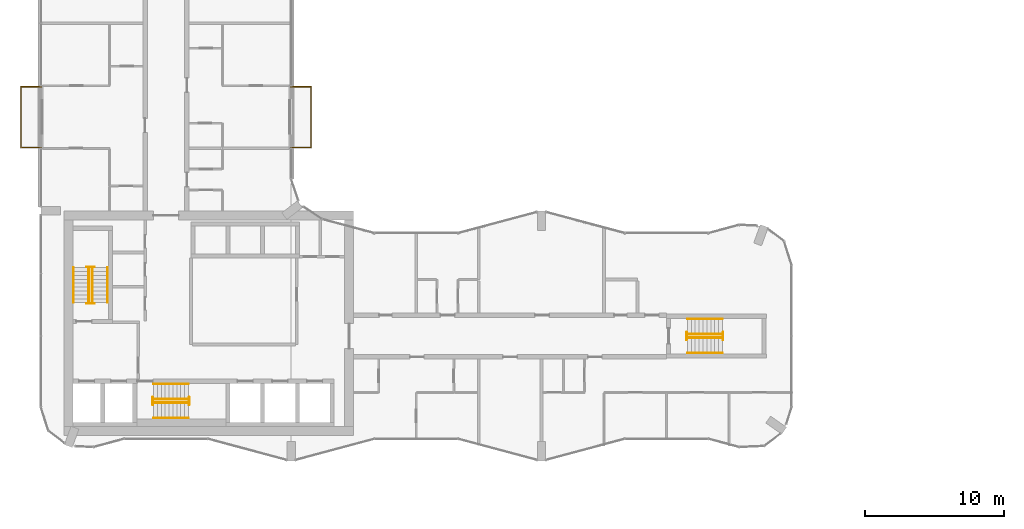
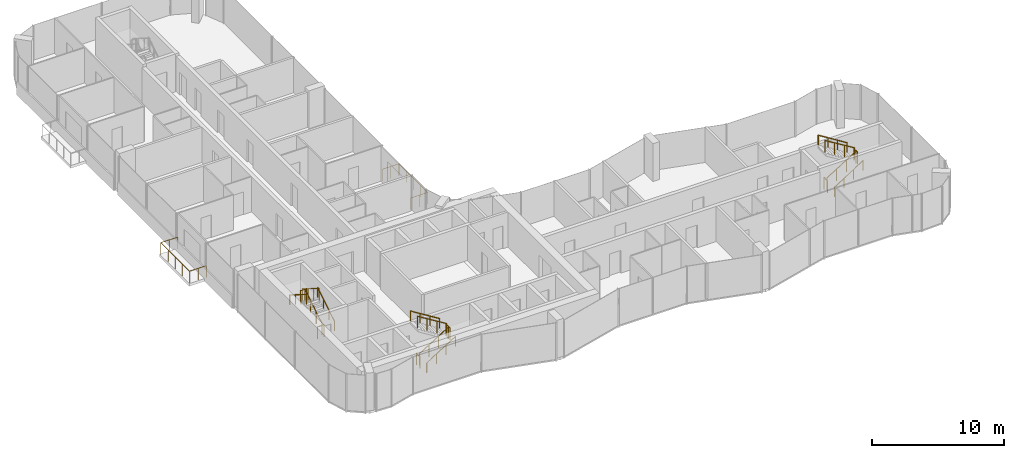
# One storey, part 20 of 22: 20 railings.
"""IFC4 building model written with IfcOpenShell, lengths in metres."""

from ifc_helpers import new_model, si_unit, direction, frame, origin, origin_2d, place, context, subcontext, project, spatial, circle, extrude, material, type_object, element, save


model = new_model("IFC4")

# Units and contexts
model_context = context("Model", 3, precision=1e-05, world=origin(), true_north=direction((0.0, 1.0)))
body_context = subcontext(model_context, "Body", "Model", "MODEL_VIEW")
ifc_project = project(units=[si_unit("LENGTHUNIT", "METRE"), si_unit("AREAUNIT", "SQUARE_METRE"), si_unit("VOLUMEUNIT", "CUBIC_METRE"), si_unit("PLANEANGLEUNIT", "RADIAN"), si_unit("MASSUNIT", "GRAM", prefix="KILO")], contexts=[model_context])

# Site, building, storey
site_placement = place(None, origin())
site = spatial("IfcSite", under=ifc_project, at=site_placement, CompositionType="ELEMENT")
building_placement = place(site_placement, origin())
building = spatial("IfcBuilding", under=site, at=building_placement, Name="Plateau Cross Towers", CompositionType="ELEMENT")
storey_placement = place(building_placement, frame((0.0, 0.0, 109.800048828125)))
storey = spatial("IfcBuildingStorey", under=building, at=storey_placement, Name="L28", CompositionType="ELEMENT", Elevation=109.800048828125)

# Railings
ifc_material_1 = material(Name="Stainless steel and toughened glass", Category="steel")
railing_type_1 = type_object("IfcRailingType", Name="Glass balustrade guard 1100", PredefinedType="GUARDRAIL", material=ifc_material_1)
railing_1_placement = place(storey_placement, frame((0.050048828125, 22.570068359375, 0.0)))
element("IfcRailing", 1, at=railing_1_placement, inside=storey, type_object=railing_type_1, Name="Guard guard1", PredefinedType="GUARDRAIL", context=body_context, shape_type="SweptSolid", body=[
    extrude(circle(Radius=0.02392578125, at=origin_2d()), frame((0.0, 0.0, 1.076171875), z_axis=(-1.0, 0.0, 0.0), x_axis=(0.0, -1.0, 0.0)), (0.0, 0.0, 1.0), 1.47998046875),
    extrude(circle(Radius=0.02392578125, at=origin_2d()), frame((-1.47998046875, 0.0, 1.076171875), z_axis=(0.0, 1.0, 0.0), x_axis=(-1.0, 0.0, 0.0)), (0.0, 0.0, 1.0), 4.35986328125),
    extrude(circle(Radius=0.02392578125, at=origin_2d()), frame((-1.47998046875, 4.35986328125, 1.076171875), z_axis=(1.0, 0.0, 0.0), x_axis=(0.0, 1.0, 0.0)), (0.0, 0.0, 1.0), 1.47998046875),
    extrude(circle(Radius=0.02099609375, at=origin_2d()), origin(), (0.0, 0.0, 1.0), 1.052001953125),
    extrude(circle(Radius=0.02099609375, at=origin_2d()), frame((-0.739990234375, 0.0, 0.0)), (0.0, 0.0, 1.0), 1.052001953125),
    extrude(circle(Radius=0.02099609375, at=origin_2d()), frame((-1.47998046875, 0.0, 0.0)), (0.0, 0.0, 1.0), 1.052001953125),
    extrude(circle(Radius=0.02099609375, at=origin_2d()), frame((-1.47998046875, 1.08984375, 0.0)), (0.0, 0.0, 1.0), 1.052001953125),
    extrude(circle(Radius=0.02099609375, at=origin_2d()), frame((-1.47998046875, 2.179931640625, 0.0)), (0.0, 0.0, 1.0), 1.052001953125),
    extrude(circle(Radius=0.02099609375, at=origin_2d()), frame((-1.47998046875, 3.27001953125, 0.0)), (0.0, 0.0, 1.0), 1.052001953125),
    extrude(circle(Radius=0.02099609375, at=origin_2d()), frame((-1.47998046875, 4.35986328125, 0.0)), (0.0, 0.0, 1.0), 1.052001953125),
    extrude(circle(Radius=0.02099609375, at=origin_2d()), frame((-0.739990234375, 4.35986328125, 0.0)), (0.0, 0.0, 1.0), 1.052001953125),
    extrude(circle(Radius=0.02099609375, at=origin_2d()), frame((0.0, 4.35986328125, 0.0)), (0.0, 0.0, 1.0), 1.052001953125),
])
railing_2_placement = place(storey_placement, frame((17.949951171875, 26.929931640625, 0.0)))
element("IfcRailing", 2, at=railing_2_placement, inside=storey, type_object=railing_type_1, Name="Guard guard1", PredefinedType="GUARDRAIL", context=body_context, shape_type="SweptSolid", body=[
    extrude(circle(Radius=0.02392578125, at=origin_2d()), frame((0.0, 0.0, 1.076171875), z_axis=(1.0, 0.0, 0.0), x_axis=(0.0, 1.0, 0.0)), (0.0, 0.0, 1.0), 1.47998046875),
    extrude(circle(Radius=0.02392578125, at=origin_2d()), frame((1.47998046875, 0.0, 1.076171875), z_axis=(0.0, -1.0, 0.0), x_axis=(1.0, 0.0, 0.0)), (0.0, 0.0, 1.0), 4.35986328125),
    extrude(circle(Radius=0.02392578125, at=origin_2d()), frame((1.47998046875, -4.35986328125, 1.076171875), z_axis=(-1.0, 0.0, 0.0), x_axis=(0.0, -1.0, 0.0)), (0.0, 0.0, 1.0), 1.47998046875),
    extrude(circle(Radius=0.02099609375, at=origin_2d()), origin(), (0.0, 0.0, 1.0), 1.052001953125),
    extrude(circle(Radius=0.02099609375, at=origin_2d()), frame((0.739990234375, 0.0, 0.0)), (0.0, 0.0, 1.0), 1.052001953125),
    extrude(circle(Radius=0.02099609375, at=origin_2d()), frame((1.47998046875, 0.0, 0.0)), (0.0, 0.0, 1.0), 1.052001953125),
    extrude(circle(Radius=0.02099609375, at=origin_2d()), frame((1.47998046875, -1.08984375, 0.0)), (0.0, 0.0, 1.0), 1.052001953125),
    extrude(circle(Radius=0.02099609375, at=origin_2d()), frame((1.47998046875, -2.179931640625, 0.0)), (0.0, 0.0, 1.0), 1.052001953125),
    extrude(circle(Radius=0.02099609375, at=origin_2d()), frame((1.47998046875, -3.27001953125, 0.0)), (0.0, 0.0, 1.0), 1.052001953125),
    extrude(circle(Radius=0.02099609375, at=origin_2d()), frame((1.47998046875, -4.35986328125, 0.0)), (0.0, 0.0, 1.0), 1.052001953125),
    extrude(circle(Radius=0.02099609375, at=origin_2d()), frame((0.739990234375, -4.35986328125, 0.0)), (0.0, 0.0, 1.0), 1.052001953125),
    extrude(circle(Radius=0.02099609375, at=origin_2d()), frame((0.0, -4.35986328125, 0.0)), (0.0, 0.0, 1.0), 1.052001953125),
])
railing_type_2 = type_object("IfcRailingType", Name="RL-GUARD-1100", PredefinedType="GUARDRAIL", material=ifc_material_1)
railing_3_placement = place(storey_placement, frame((3.699951171875, 11.39990234375, 0.175048828125)))
element("IfcRailing", 3, at=railing_3_placement, inside=storey, type_object=railing_type_2, Name="L28 ST-1 stair guard 1", PredefinedType="GUARDRAIL", context=body_context, shape_type="SweptSolid", body=[
    extrude(circle(Radius=0.02392578125, at=origin_2d()), frame((0.0, 0.0, 1.076171875), z_axis=(0.0, 0.848007534815, 0.529984170421), x_axis=(-1.0, 0.0, 0.0)), (0.0, 0.0, 1.0), 2.9716796875),
    extrude(circle(Radius=0.02099609375, at=origin_2d()), origin(), (0.0, 0.0, 1.0), 1.052001953125),
    extrude(circle(Radius=0.02099609375, at=origin_2d()), frame((0.0, 0.840087890625, 0.52490234375)), (0.0, 0.0, 1.0), 1.052001953125),
    extrude(circle(Radius=0.02099609375, at=origin_2d()), frame((0.0, 1.679931640625, 1.050048828125)), (0.0, 0.0, 1.0), 1.052001953125),
    extrude(circle(Radius=0.02099609375, at=origin_2d()), frame((0.0, 2.52001953125, 1.574951171875)), (0.0, 0.0, 1.0), 1.052001953125),
])
railing_4_placement = place(storey_placement, frame((3.85009765625, 13.969970703125, 1.75)))
element("IfcRailing", 4, at=railing_4_placement, inside=storey, type_object=railing_type_2, Name="L28 ST-1 stair guard 2", PredefinedType="GUARDRAIL", context=body_context, shape_type="SweptSolid", body=[
    extrude(circle(Radius=0.02392578125, at=origin_2d()), frame((0.0, 0.0, 1.076171875), z_axis=(-1.0, 0.0, 0.0), x_axis=(0.0, -1.0, 0.0)), (0.0, 0.0, 1.0), 0.550048828125),
    extrude(circle(Radius=0.02099609375, at=origin_2d()), origin(), (0.0, 0.0, 1.0), 1.052001953125),
    extrude(circle(Radius=0.02099609375, at=origin_2d()), frame((-0.550048828125, 0.0, 0.0)), (0.0, 0.0, 1.0), 1.052001953125),
])
railing_5_placement = place(storey_placement, frame((3.449951171875, 13.919921875, 1.925048828125)))
element("IfcRailing", 5, at=railing_5_placement, inside=storey, type_object=railing_type_2, Name="L28 ST-1 stair guard 3", PredefinedType="GUARDRAIL", context=body_context, shape_type="SweptSolid", body=[
    extrude(circle(Radius=0.02392578125, at=origin_2d()), frame((0.0, 0.0, 1.076171875), z_axis=(0.0, -0.852616386126, 0.522537365276), x_axis=(1.0, 0.0, 0.0)), (0.0, 0.0, 1.0), 3.01416015625),
    extrude(circle(Radius=0.02099609375, at=origin_2d()), origin(), (0.0, 0.0, 1.0), 1.052001953125),
    extrude(circle(Radius=0.02099609375, at=origin_2d()), frame((0.0, -0.856689453125, 0.52490234375)), (0.0, 0.0, 1.0), 1.052001953125),
    extrude(circle(Radius=0.02099609375, at=origin_2d()), frame((0.0, -1.713134765625, 1.050048828125)), (0.0, 0.0, 1.0), 1.052001953125),
    extrude(circle(Radius=0.02099609375, at=origin_2d()), frame((0.0, -2.56982421875, 1.574951171875)), (0.0, 0.0, 1.0), 1.052001953125),
])
railing_6_placement = place(storey_placement, frame((3.85009765625, 11.35009765625, 0.0)))
element("IfcRailing", 6, at=railing_6_placement, inside=storey, type_object=railing_type_2, Name="L28 ST-1 stair guard 4", PredefinedType="GUARDRAIL", context=body_context, shape_type="SweptSolid", body=[
    extrude(circle(Radius=0.02392578125, at=origin_2d()), frame((0.0, 0.0, 1.076171875), z_axis=(-1.0, 0.0, 0.0), x_axis=(0.0, -1.0, 0.0)), (0.0, 0.0, 1.0), 0.550048828125),
    extrude(circle(Radius=0.02099609375, at=origin_2d()), origin(), (0.0, 0.0, 1.0), 1.052001953125),
    extrude(circle(Radius=0.02099609375, at=origin_2d()), frame((-0.550048828125, 0.0, 0.0)), (0.0, 0.0, 1.0), 1.052001953125),
])
railing_7_placement = place(storey_placement, frame((8.10009765625, 4.199951171875, 0.175048828125)))
element("IfcRailing", 7, at=railing_7_placement, inside=storey, type_object=railing_type_2, Name="L28 ST-2 stair guard 1", PredefinedType="GUARDRAIL", context=body_context, shape_type="SweptSolid", body=[
    extrude(circle(Radius=0.02392578125, at=origin_2d()), frame((0.0, 0.0, 1.076171875), z_axis=(0.848007534815, 0.0, 0.529984170421), x_axis=(0.0, 1.0, 0.0)), (0.0, 0.0, 1.0), 2.9716796875),
    extrude(circle(Radius=0.02099609375, at=origin_2d()), origin(), (0.0, 0.0, 1.0), 1.052001953125),
    extrude(circle(Radius=0.02099609375, at=origin_2d()), frame((0.840087890625, 0.0, 0.52490234375)), (0.0, 0.0, 1.0), 1.052001953125),
    extrude(circle(Radius=0.02099609375, at=origin_2d()), frame((1.679931640625, 0.0, 1.050048828125)), (0.0, 0.0, 1.0), 1.052001953125),
    extrude(circle(Radius=0.02099609375, at=origin_2d()), frame((2.52001953125, 0.0, 1.574951171875)), (0.0, 0.0, 1.0), 1.052001953125),
])
railing_8_placement = place(storey_placement, frame((10.669921875, 4.050048828125, 1.75)))
element("IfcRailing", 8, at=railing_8_placement, inside=storey, type_object=railing_type_2, Name="L28 ST-2 stair guard 2", PredefinedType="GUARDRAIL", context=body_context, shape_type="SweptSolid", body=[
    extrude(circle(Radius=0.02392578125, at=origin_2d()), frame((0.0, 0.0, 1.076171875), z_axis=(0.0, 1.0, 0.0), x_axis=(-1.0, 0.0, 0.0)), (0.0, 0.0, 1.0), 0.550048828125),
    extrude(circle(Radius=0.02099609375, at=origin_2d()), origin(), (0.0, 0.0, 1.0), 1.052001953125),
    extrude(circle(Radius=0.02099609375, at=origin_2d()), frame((0.0, 0.550048828125, 0.0)), (0.0, 0.0, 1.0), 1.052001953125),
])
railing_9_placement = place(storey_placement, frame((10.6201171875, 4.449951171875, 1.925048828125)))
element("IfcRailing", 9, at=railing_9_placement, inside=storey, type_object=railing_type_2, Name="L28 ST-2 stair guard 3", PredefinedType="GUARDRAIL", context=body_context, shape_type="SweptSolid", body=[
    extrude(circle(Radius=0.02392578125, at=origin_2d()), frame((0.0, 0.0, 1.076171875), z_axis=(-0.852638500773, 0.0, 0.522501279423), x_axis=(0.0, -1.0, 0.0)), (0.0, 0.0, 1.0), 3.01416015625),
    extrude(circle(Radius=0.02099609375, at=origin_2d()), origin(), (0.0, 0.0, 1.0), 1.052001953125),
    extrude(circle(Radius=0.02099609375, at=origin_2d()), frame((-0.856689453125, 0.0, 0.52490234375)), (0.0, 0.0, 1.0), 1.052001953125),
    extrude(circle(Radius=0.02099609375, at=origin_2d()), frame((-1.71337890625, 0.0, 1.050048828125)), (0.0, 0.0, 1.0), 1.052001953125),
    extrude(circle(Radius=0.02099609375, at=origin_2d()), frame((-2.570068359375, 0.0, 1.574951171875)), (0.0, 0.0, 1.0), 1.052001953125),
])
railing_10_placement = place(storey_placement, frame((8.050048828125, 4.050048828125, 0.0)))
element("IfcRailing", 10, at=railing_10_placement, inside=storey, type_object=railing_type_2, Name="L28 ST-2 stair guard 4", PredefinedType="GUARDRAIL", context=body_context, shape_type="SweptSolid", body=[
    extrude(circle(Radius=0.02392578125, at=origin_2d()), frame((0.0, 0.0, 1.076171875), z_axis=(0.0, 1.0, 0.0), x_axis=(-1.0, 0.0, 0.0)), (0.0, 0.0, 1.0), 0.550048828125),
    extrude(circle(Radius=0.02099609375, at=origin_2d()), origin(), (0.0, 0.0, 1.0), 1.052001953125),
    extrude(circle(Radius=0.02099609375, at=origin_2d()), frame((0.0, 0.550048828125, 0.0)), (0.0, 0.0, 1.0), 1.052001953125),
])
railing_11_placement = place(storey_placement, frame((46.5, 8.875, 0.175048828125)))
element("IfcRailing", 11, at=railing_11_placement, inside=storey, type_object=railing_type_2, Name="L28 ES-E stair guard 1", PredefinedType="GUARDRAIL", context=body_context, shape_type="SweptSolid", body=[
    extrude(circle(Radius=0.02392578125, at=origin_2d()), frame((0.0, 0.0, 1.076171875), z_axis=(0.848007534815, 0.0, 0.529984170421), x_axis=(0.0, 1.0, 0.0)), (0.0, 0.0, 1.0), 2.9716796875),
    extrude(circle(Radius=0.02099609375, at=origin_2d()), origin(), (0.0, 0.0, 1.0), 1.052001953125),
    extrude(circle(Radius=0.02099609375, at=origin_2d()), frame((0.840087890625, 0.0, 0.52490234375)), (0.0, 0.0, 1.0), 1.052001953125),
    extrude(circle(Radius=0.02099609375, at=origin_2d()), frame((1.679931640625, 0.0, 1.050048828125)), (0.0, 0.0, 1.0), 1.052001953125),
    extrude(circle(Radius=0.02099609375, at=origin_2d()), frame((2.52001953125, 0.0, 1.574951171875)), (0.0, 0.0, 1.0), 1.052001953125),
])
railing_12_placement = place(storey_placement, frame((49.070068359375, 8.72509765625, 1.75)))
element("IfcRailing", 12, at=railing_12_placement, inside=storey, type_object=railing_type_2, Name="L28 ES-E stair guard 2", PredefinedType="GUARDRAIL", context=body_context, shape_type="SweptSolid", body=[
    extrude(circle(Radius=0.02392578125, at=origin_2d()), frame((0.0, 0.0, 1.076171875), z_axis=(0.0, 1.0, 0.0), x_axis=(-1.0, 0.0, 0.0)), (0.0, 0.0, 1.0), 0.5498046875),
    extrude(circle(Radius=0.02099609375, at=origin_2d()), origin(), (0.0, 0.0, 1.0), 1.052001953125),
    extrude(circle(Radius=0.02099609375, at=origin_2d()), frame((0.0, 0.5498046875, 0.0)), (0.0, 0.0, 1.0), 1.052001953125),
])
railing_13_placement = place(storey_placement, frame((49.02001953125, 9.125, 1.925048828125)))
element("IfcRailing", 13, at=railing_13_placement, inside=storey, type_object=railing_type_2, Name="L28 ES-E stair guard 3", PredefinedType="GUARDRAIL", context=body_context, shape_type="SweptSolid", body=[
    extrude(circle(Radius=0.02392578125, at=origin_2d()), frame((0.0, 0.0, 1.076171875), z_axis=(-0.852638500773, 0.0, 0.522501279423), x_axis=(0.0, -1.0, 0.0)), (0.0, 0.0, 1.0), 3.01416015625),
    extrude(circle(Radius=0.02099609375, at=origin_2d()), origin(), (0.0, 0.0, 1.0), 1.052001953125),
    extrude(circle(Radius=0.02099609375, at=origin_2d()), frame((-0.856689453125, 0.0, 0.52490234375)), (0.0, 0.0, 1.0), 1.052001953125),
    extrude(circle(Radius=0.02099609375, at=origin_2d()), frame((-1.71337890625, 0.0, 1.050048828125)), (0.0, 0.0, 1.0), 1.052001953125),
    extrude(circle(Radius=0.02099609375, at=origin_2d()), frame((-2.570068359375, 0.0, 1.574951171875)), (0.0, 0.0, 1.0), 1.052001953125),
])
railing_14_placement = place(storey_placement, frame((46.449951171875, 8.72509765625, 0.0)))
element("IfcRailing", 14, at=railing_14_placement, inside=storey, type_object=railing_type_2, Name="L28 ES-E stair guard 4", PredefinedType="GUARDRAIL", context=body_context, shape_type="SweptSolid", body=[
    extrude(circle(Radius=0.02392578125, at=origin_2d()), frame((0.0, 0.0, 1.076171875), z_axis=(0.0, 1.0, 0.0), x_axis=(-1.0, 0.0, 0.0)), (0.0, 0.0, 1.0), 0.5498046875),
    extrude(circle(Radius=0.02099609375, at=origin_2d()), origin(), (0.0, 0.0, 1.0), 1.052001953125),
    extrude(circle(Radius=0.02099609375, at=origin_2d()), frame((0.0, 0.5498046875, 0.0)), (0.0, 0.0, 1.0), 1.052001953125),
])
ifc_material_2 = material(Name="Black anodised aluminium", Category="aluminium")
railing_type_3 = type_object("IfcRailingType", Name="RL-HANDRAIL-900", PredefinedType="HANDRAIL", material=ifc_material_2)
railing_15_placement = place(storey_placement, frame((4.800048828125, 11.39990234375, 0.175048828125)))
element("IfcRailing", 15, at=railing_15_placement, inside=storey, type_object=railing_type_3, Name="L28 ST-1 stair handrail 1", PredefinedType="HANDRAIL", context=body_context, shape_type="SweptSolid", body=[
    extrude(circle(Radius=0.02392578125, at=origin_2d()), frame((0.0, 0.0, 0.8759765625), z_axis=(0.0, 0.848007534815, 0.529984170421), x_axis=(-1.0, 0.0, 0.0)), (0.0, 0.0, 1.0), 2.9716796875),
    extrude(circle(Radius=0.02099609375, at=origin_2d()), origin(), (0.0, 0.0, 1.0), 0.851806640625),
    extrude(circle(Radius=0.02099609375, at=origin_2d()), frame((0.0, 0.840087890625, 0.52490234375)), (0.0, 0.0, 1.0), 0.851806640625),
    extrude(circle(Radius=0.02099609375, at=origin_2d()), frame((0.0, 1.679931640625, 1.050048828125)), (0.0, 0.0, 1.0), 0.851806640625),
    extrude(circle(Radius=0.02099609375, at=origin_2d()), frame((0.0, 2.52001953125, 1.574951171875)), (0.0, 0.0, 1.0), 0.851806640625),
])
railing_16_placement = place(storey_placement, frame((2.35009765625, 13.919921875, 1.925048828125)))
element("IfcRailing", 16, at=railing_16_placement, inside=storey, type_object=railing_type_3, Name="L28 ST-1 stair handrail 2", PredefinedType="HANDRAIL", context=body_context, shape_type="SweptSolid", body=[
    extrude(circle(Radius=0.02392578125, at=origin_2d()), frame((0.0, 0.0, 0.8759765625), z_axis=(0.0, -0.848007534815, 0.529984170421), x_axis=(1.0, 0.0, 0.0)), (0.0, 0.0, 1.0), 2.9716796875),
    extrude(circle(Radius=0.02099609375, at=origin_2d()), origin(), (0.0, 0.0, 1.0), 0.851806640625),
    extrude(circle(Radius=0.02099609375, at=origin_2d()), frame((0.0, -0.840087890625, 0.52490234375)), (0.0, 0.0, 1.0), 0.851806640625),
    extrude(circle(Radius=0.02099609375, at=origin_2d()), frame((0.0, -1.679931640625, 1.050048828125)), (0.0, 0.0, 1.0), 0.851806640625),
    extrude(circle(Radius=0.02099609375, at=origin_2d()), frame((0.0, -2.52001953125, 1.574951171875)), (0.0, 0.0, 1.0), 0.851806640625),
])
railing_17_placement = place(storey_placement, frame((8.10009765625, 3.10009765625, 0.175048828125)))
element("IfcRailing", 17, at=railing_17_placement, inside=storey, type_object=railing_type_3, Name="L28 ST-2 stair handrail 1", PredefinedType="HANDRAIL", context=body_context, shape_type="SweptSolid", body=[
    extrude(circle(Radius=0.02392578125, at=origin_2d()), frame((0.0, 0.0, 0.8759765625), z_axis=(0.848007534815, 0.0, 0.529984170421), x_axis=(0.0, 1.0, 0.0)), (0.0, 0.0, 1.0), 2.9716796875),
    extrude(circle(Radius=0.02099609375, at=origin_2d()), origin(), (0.0, 0.0, 1.0), 0.851806640625),
    extrude(circle(Radius=0.02099609375, at=origin_2d()), frame((0.840087890625, 0.0, 0.52490234375)), (0.0, 0.0, 1.0), 0.851806640625),
    extrude(circle(Radius=0.02099609375, at=origin_2d()), frame((1.679931640625, 0.0, 1.050048828125)), (0.0, 0.0, 1.0), 0.851806640625),
    extrude(circle(Radius=0.02099609375, at=origin_2d()), frame((2.52001953125, 0.0, 1.574951171875)), (0.0, 0.0, 1.0), 0.851806640625),
])
railing_18_placement = place(storey_placement, frame((10.6201171875, 5.550048828125, 1.925048828125)))
element("IfcRailing", 18, at=railing_18_placement, inside=storey, type_object=railing_type_3, Name="L28 ST-2 stair handrail 2", PredefinedType="HANDRAIL", context=body_context, shape_type="SweptSolid", body=[
    extrude(circle(Radius=0.02392578125, at=origin_2d()), frame((0.0, 0.0, 0.8759765625), z_axis=(-0.848007534815, 0.0, 0.529984170421), x_axis=(0.0, -1.0, 0.0)), (0.0, 0.0, 1.0), 2.9716796875),
    extrude(circle(Radius=0.02099609375, at=origin_2d()), origin(), (0.0, 0.0, 1.0), 0.851806640625),
    extrude(circle(Radius=0.02099609375, at=origin_2d()), frame((-0.840087890625, 0.0, 0.52490234375)), (0.0, 0.0, 1.0), 0.851806640625),
    extrude(circle(Radius=0.02099609375, at=origin_2d()), frame((-1.679931640625, 0.0, 1.050048828125)), (0.0, 0.0, 1.0), 0.851806640625),
    extrude(circle(Radius=0.02099609375, at=origin_2d()), frame((-2.52001953125, 0.0, 1.574951171875)), (0.0, 0.0, 1.0), 0.851806640625),
])
railing_19_placement = place(storey_placement, frame((46.5, 7.77490234375, 0.175048828125)))
element("IfcRailing", 19, at=railing_19_placement, inside=storey, type_object=railing_type_3, Name="L28 ES-E stair handrail 1", PredefinedType="HANDRAIL", context=body_context, shape_type="SweptSolid", body=[
    extrude(circle(Radius=0.02392578125, at=origin_2d()), frame((0.0, 0.0, 0.8759765625), z_axis=(0.848007534815, 0.0, 0.529984170421), x_axis=(0.0, 1.0, 0.0)), (0.0, 0.0, 1.0), 2.9716796875),
    extrude(circle(Radius=0.02099609375, at=origin_2d()), origin(), (0.0, 0.0, 1.0), 0.851806640625),
    extrude(circle(Radius=0.02099609375, at=origin_2d()), frame((0.840087890625, 0.0, 0.52490234375)), (0.0, 0.0, 1.0), 0.851806640625),
    extrude(circle(Radius=0.02099609375, at=origin_2d()), frame((1.679931640625, 0.0, 1.050048828125)), (0.0, 0.0, 1.0), 0.851806640625),
    extrude(circle(Radius=0.02099609375, at=origin_2d()), frame((2.52001953125, 0.0, 1.574951171875)), (0.0, 0.0, 1.0), 0.851806640625),
])
railing_20_placement = place(storey_placement, frame((49.02001953125, 10.22509765625, 1.925048828125)))
element("IfcRailing", 20, at=railing_20_placement, inside=storey, type_object=railing_type_3, Name="L28 ES-E stair handrail 2", PredefinedType="HANDRAIL", context=body_context, shape_type="SweptSolid", body=[
    extrude(circle(Radius=0.02392578125, at=origin_2d()), frame((0.0, 0.0, 0.8759765625), z_axis=(-0.848007534815, 0.0, 0.529984170421), x_axis=(0.0, -1.0, 0.0)), (0.0, 0.0, 1.0), 2.9716796875),
    extrude(circle(Radius=0.02099609375, at=origin_2d()), origin(), (0.0, 0.0, 1.0), 0.851806640625),
    extrude(circle(Radius=0.02099609375, at=origin_2d()), frame((-0.840087890625, 0.0, 0.52490234375)), (0.0, 0.0, 1.0), 0.851806640625),
    extrude(circle(Radius=0.02099609375, at=origin_2d()), frame((-1.679931640625, 0.0, 1.050048828125)), (0.0, 0.0, 1.0), 0.851806640625),
    extrude(circle(Radius=0.02099609375, at=origin_2d()), frame((-2.52001953125, 0.0, 1.574951171875)), (0.0, 0.0, 1.0), 0.851806640625),
])

save(model, "model.ifc")
